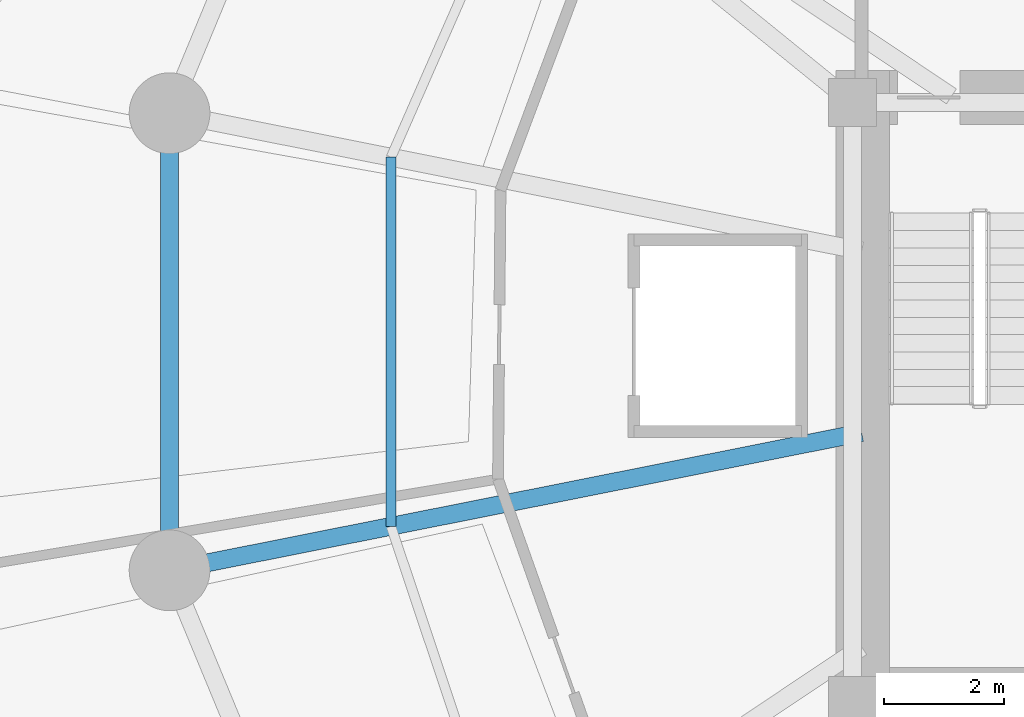
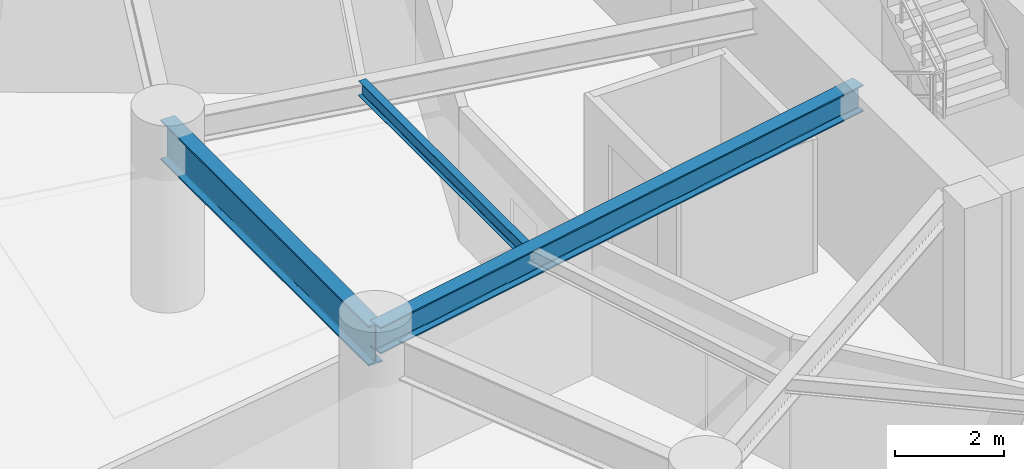
# One storey, part 5 of 17: 3 beams.
"""IFC4 building model written with IfcOpenShell, lengths in metres."""

from ifc_helpers import new_model, si_unit, direction, frame, origin, origin_2d, place, context, subcontext, project, spatial, i_section, extrude, material, material_profile, profile_set, type_object, element, save


model = new_model("IFC4")

# Units and contexts
model_context = context("Model", 3, precision=1e-05, world=origin(), true_north=direction((0.0, 1.0)))
body_context = subcontext(model_context, "Body", "Model", "MODEL_VIEW")
ifc_project = project(units=[si_unit("LENGTHUNIT", "METRE"), si_unit("AREAUNIT", "SQUARE_METRE"), si_unit("VOLUMEUNIT", "CUBIC_METRE"), si_unit("PLANEANGLEUNIT", "RADIAN"), si_unit("MASSUNIT", "GRAM", prefix="KILO"), si_unit("THERMODYNAMICTEMPERATUREUNIT", "KELVIN"), si_unit("POWERUNIT", "WATT")], contexts=[model_context])

# Site, building, storey
site_placement = place(None, origin())
site = spatial("IfcSite", under=ifc_project, at=site_placement, CompositionType="ELEMENT")
building_placement = place(site_placement, origin())
building = spatial("IfcBuilding", under=site, at=building_placement, Name="Ocrelia Relay Tower", CompositionType="ELEMENT")
storey_placement = place(building_placement, frame((0.0, 0.0, 72.0)))
storey = spatial("IfcBuildingStorey", under=building, at=storey_placement, Name="L16", CompositionType="ELEMENT", Elevation=72.0)

# Beams
ifc_material = material(Name="Steel S355", Category="steel")
ifc_material_profile_1 = material_profile(ifc_material, i_section(OverallWidth=0.300048828125, OverallDepth=0.60009765625, WebThickness=0.015380859375, FlangeThickness=0.030029296875, FilletRadius=0.027099609375, at=origin_2d()), Name="HEB 600")
ifc_profile_set_1 = profile_set([ifc_material_profile_1], Name="Steel S355")
beam_type_1 = type_object("IfcBeamType", Name="BM-HEB600", PredefinedType="BEAM", material=ifc_profile_set_1)
beam_1_placement = place(storey_placement, frame((14.776611328125, 22.17626953125, 3.6201171875), z_axis=(0.980786938484, 0.195081986098, 0.0), x_axis=(-0.195081986098, 0.980786938484, 0.0)))
element("IfcBeam", 1, at=beam_1_placement, inside=storey, type_object=beam_type_1, Name="L16 Radial Floor Girder R09", PredefinedType="BEAM", context=body_context, shape_type="SweptSolid", body=[
    extrude(i_section(OverallWidth=0.300048828125, OverallDepth=0.60009765625, WebThickness=0.015380859375, FlangeThickness=0.030029296875, FilletRadius=0.027099609375, at=origin_2d()), origin(), (0.0, 0.0, 1.0), 11.80517578125),
])
ifc_material_profile_2 = material_profile(ifc_material, i_section(OverallWidth=0.300048828125, OverallDepth=0.89990234375, WebThickness=0.0185546875, FlangeThickness=0.034912109375, FilletRadius=0.030029296875, at=origin_2d()), Name="HEB 900")
ifc_profile_set_2 = profile_set([ifc_material_profile_2], Name="Steel S355")
beam_type_2 = type_object("IfcBeamType", Name="BM-HEB900", PredefinedType="BEAM", material=ifc_profile_set_2)
beam_2_placement = place(storey_placement, frame((14.776611328125, 29.82373046875, 3.469970703125), z_axis=(0.0, -1.0, 0.0), x_axis=(1.0, 0.0, 0.0)))
element("IfcBeam", 2, at=beam_2_placement, inside=storey, type_object=beam_type_2, Name="L16 Perimeter Spandrel Beam S08", PredefinedType="BEAM", context=body_context, shape_type="SweptSolid", body=[
    extrude(i_section(OverallWidth=0.300048828125, OverallDepth=0.89990234375, WebThickness=0.0185546875, FlangeThickness=0.034912109375, FilletRadius=0.030029296875, at=origin_2d()), origin(), (0.0, 0.0, 1.0), 7.6474609375),
])
ifc_material_profile_3 = material_profile(ifc_material, i_section(OverallWidth=0.159912109375, OverallDepth=0.330078125, WebThickness=0.007568359375, FlangeThickness=0.011474609375, FilletRadius=0.01806640625, at=origin_2d()), Name="IPE 330")
ifc_profile_set_3 = profile_set([ifc_material_profile_3], Name="Steel S355")
beam_type_3 = type_object("IfcBeamType", Name="BM-IPE330", PredefinedType="JOIST", material=ifc_profile_set_3)
beam_3_placement = place(storey_placement, frame((18.481689453125, 29.0869140625, 3.7548828125), z_axis=(0.0, -1.0, 0.0), x_axis=(1.0, 0.0, 0.0)))
element("IfcBeam", 3, at=beam_3_placement, inside=storey, type_object=beam_type_3, Name="L16 Secondary Floor Joist J08", PredefinedType="JOIST", context=body_context, shape_type="SweptSolid", body=[
    extrude(i_section(OverallWidth=0.159912109375, OverallDepth=0.330078125, WebThickness=0.007568359375, FlangeThickness=0.011474609375, FilletRadius=0.01806640625, at=origin_2d()), origin(), (0.0, 0.0, 1.0), 6.173828125),
])

save(model, "model.ifc")
